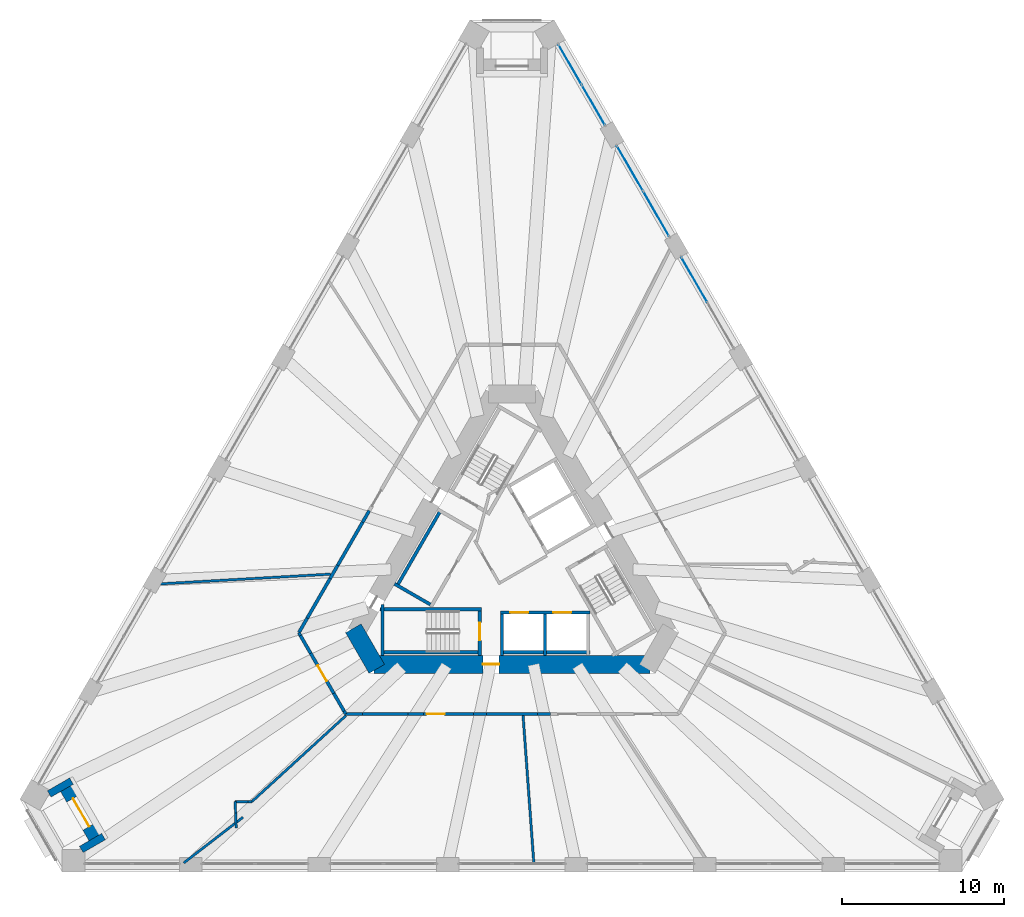
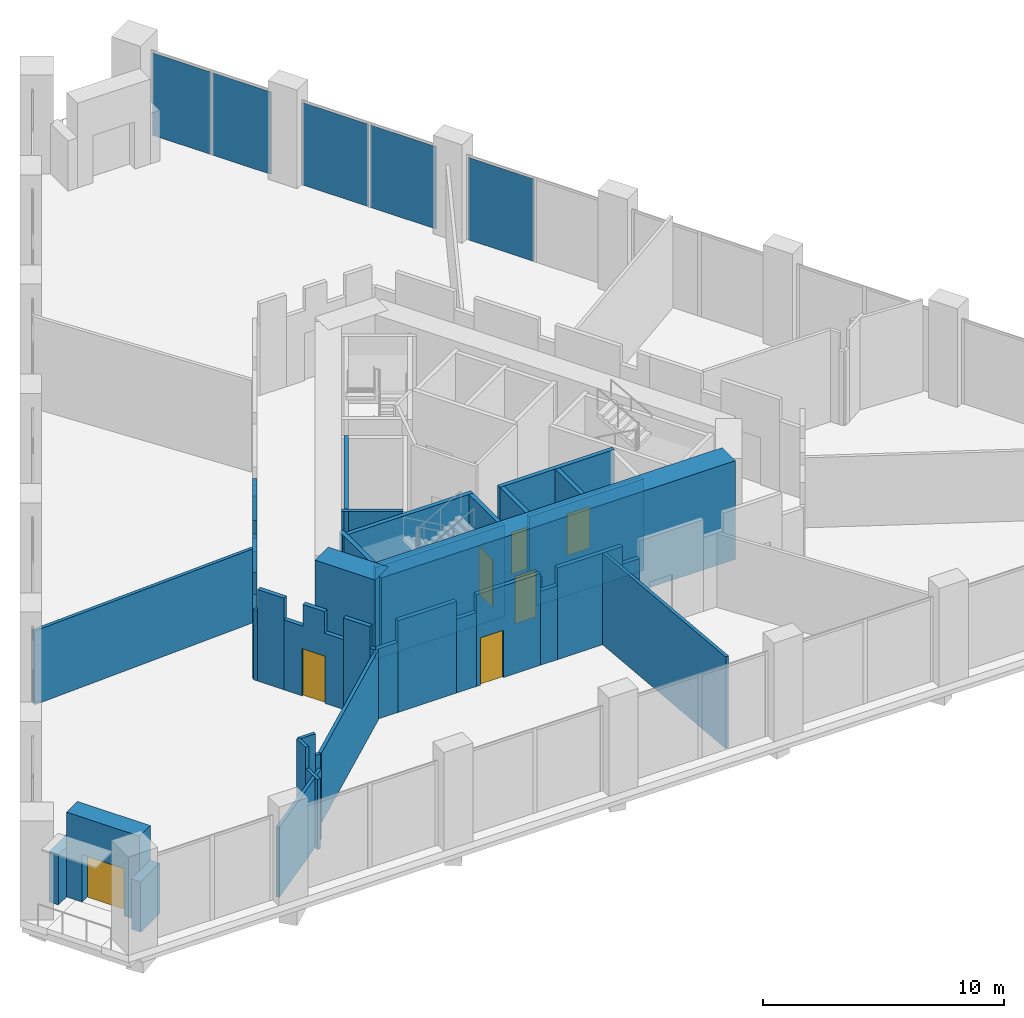
# One storey, part 13 of 20: 40 walls, 7 doors, 5 plates, 7 openings, 3 elements without a shape of their own.
"""IFC4 building model written with IfcOpenShell, lengths in metres."""

from ifc_helpers import new_model, si_unit, direction, frame, frame_2d, origin, origin_2d, place, context, subcontext, project, spatial, polyline, rectangle, outline, extrude, material, layer, layer_set, type_object, element, fill, aggregate, save


model = new_model("IFC4")

# Units and contexts
model_context = context("Model", 3, precision=1e-05, world=origin(), true_north=direction((0.0, 1.0)))
body_context = subcontext(model_context, "Body", "Model", "MODEL_VIEW")
ifc_project = project(units=[si_unit("LENGTHUNIT", "METRE"), si_unit("AREAUNIT", "SQUARE_METRE"), si_unit("VOLUMEUNIT", "CUBIC_METRE"), si_unit("PLANEANGLEUNIT", "RADIAN"), si_unit("MASSUNIT", "GRAM", prefix="KILO")], contexts=[model_context])

# Site, building, storey
site_placement = place(None, origin())
site = spatial("IfcSite", under=ifc_project, at=site_placement, CompositionType="ELEMENT")
building_placement = place(site_placement, origin())
building = spatial("IfcBuilding", under=site, at=building_placement, Name="Tramontana Tower", CompositionType="ELEMENT")
storey_placement = place(building_placement, frame((0.0, 0.0, 15.0)))
storey = spatial("IfcBuildingStorey", under=building, at=storey_placement, Name="L02", CompositionType="ELEMENT", Elevation=15.0)

# Curtain wall, plate
ifc_material_1 = material(Name="Aluminum extrusion", Category="aluminium")
ifc_layer_1 = layer(ifc_material_1, 0.14990234375)
ifc_layer_set_1 = layer_set([ifc_layer_1], Name="CW2 Podium amenity curtain wall")
curtain_wall_type = type_object("IfcCurtainWallType", Name="CW2 Podium amenity curtain wall", PredefinedType="NOTDEFINED", material=ifc_layer_set_1)
curtain_wall_1_placement = place(storey_placement, origin())
curtain_wall_1 = element("IfcCurtainWall", 1, at=curtain_wall_1_placement, inside=storey, type_object=curtain_wall_type, Name="CW2 curtain wall L02 face 2 bay 5", PredefinedType="NOTDEFINED")
ifc_material_2 = material(Name="Low-iron double glazing unit", Category="glass")
ifc_layer_2 = layer(ifc_material_2, 0.031982421875)
ifc_layer_set_2 = layer_set([ifc_layer_2], Name="CW2-P Glazing panel 32")
plate_type = type_object("IfcPlateType", Name="CW2-P Glazing panel 32", PredefinedType="CURTAIN_PANEL", material=ifc_layer_set_2)
plate_1_placement = place(storey_placement, frame((11.233642578125, 17.492919921875, 0.0), z_axis=(0.0, 0.0, 1.0), x_axis=(-0.5, 0.866025403784, 0.0)))
plate_1 = element("IfcPlate", 2, at=plate_1_placement, type_object=plate_type, Name="CW2 curtain wall L02 face 2 bay 5 panel 2.1", PredefinedType="CURTAIN_PANEL", context=body_context, shape_type="SweptSolid", body=[
    extrude(rectangle(XDim=3.1689453125, YDim=0.031982421875, at=origin_2d()), origin(), (0.0, 0.0, 1.0), 4.179931640625),
])
aggregate(curtain_wall_1, [plate_1])

# Curtain wall, plates
curtain_wall_2_placement = place(storey_placement, origin())
curtain_wall_2 = element("IfcCurtainWall", 3, at=curtain_wall_2_placement, inside=storey, type_object=curtain_wall_type, Name="CW2 curtain wall L02 face 2 bay 6", PredefinedType="NOTDEFINED")
plate_2_placement = place(storey_placement, frame((8.88916015625, 21.5537109375, 0.0), z_axis=(0.0, 0.0, 1.0), x_axis=(-0.5, 0.866025403784, 0.0)))
plate_2 = element("IfcPlate", 4, at=plate_2_placement, type_object=plate_type, Name="CW2 curtain wall L02 face 2 bay 6 panel 1.1", PredefinedType="CURTAIN_PANEL", context=body_context, shape_type="SweptSolid", body=[
    extrude(rectangle(XDim=3.1689453125, YDim=0.031982421875, at=origin_2d()), origin(), (0.0, 0.0, 1.0), 4.179931640625),
])
plate_3_placement = place(storey_placement, frame((7.274658203125, 24.349853515625, 0.0), z_axis=(0.0, 0.0, 1.0), x_axis=(-0.5, 0.866025403784, 0.0)))
plate_3 = element("IfcPlate", 5, at=plate_3_placement, type_object=plate_type, Name="CW2 curtain wall L02 face 2 bay 6 panel 2.1", PredefinedType="CURTAIN_PANEL", context=body_context, shape_type="SweptSolid", body=[
    extrude(rectangle(XDim=3.1689453125, YDim=0.031982421875, at=origin_2d()), origin(), (0.0, 0.0, 1.0), 4.179931640625),
])
aggregate(curtain_wall_2, [plate_2, plate_3])

curtain_wall_3_placement = place(storey_placement, origin())
curtain_wall_3 = element("IfcCurtainWall", 6, at=curtain_wall_3_placement, inside=storey, type_object=curtain_wall_type, Name="CW2 curtain wall L02 face 2 bay 7", PredefinedType="NOTDEFINED")
plate_4_placement = place(storey_placement, frame((5.017578125, 28.25927734375, 0.0), z_axis=(0.0, 0.0, 1.0), x_axis=(-0.5, 0.866025403784, 0.0)))
plate_4 = element("IfcPlate", 7, at=plate_4_placement, type_object=plate_type, Name="CW2 curtain wall L02 face 2 bay 7 panel 1.1", PredefinedType="CURTAIN_PANEL", context=body_context, shape_type="SweptSolid", body=[
    extrude(rectangle(XDim=2.819091796875, YDim=0.031982421875, at=origin_2d()), origin(), (0.0, 0.0, 1.0), 4.179931640625),
])
plate_5_placement = place(storey_placement, frame((3.578125, 30.75244140625, 0.0), z_axis=(0.0, 0.0, 1.0), x_axis=(-0.5, 0.866025403784, 0.0)))
plate_5 = element("IfcPlate", 8, at=plate_5_placement, type_object=plate_type, Name="CW2 curtain wall L02 face 2 bay 7 panel 2.1", PredefinedType="CURTAIN_PANEL", context=body_context, shape_type="SweptSolid", body=[
    extrude(rectangle(XDim=2.819091796875, YDim=0.031982421875, at=origin_2d()), origin(), (0.0, 0.0, 1.0), 4.179931640625),
])
aggregate(curtain_wall_3, [plate_4, plate_5])

# Wall
ifc_material_3 = material(Name="Concrete 70 MPa", Category="concrete")
ifc_layer_3 = layer(ifc_material_3, 1.10009765625)
ifc_layer_set_3 = layer_set([ifc_layer_3], Name="Core wall 1100 70 MPa")
wall_type_1 = type_object("IfcWallType", Name="Core wall 1100 70 MPa", PredefinedType="SHEAR", material=ifc_layer_set_3)
wall_1_placement = place(storey_placement, frame((-9.771728515625, -3.97509765625, 0.0), z_axis=(0.0, 0.0, 1.0), x_axis=(0.499995765644, -0.866027848477, 0.0)))
element("IfcWall", 9, at=wall_1_placement, inside=storey, type_object=wall_type_1, Name="Core wall C2 L02", PredefinedType="SHEAR", context=body_context, shape_type="SweptSolid", body=[
    extrude(rectangle(XDim=2.88671875, YDim=1.10009765625, at=frame_2d((1.443359375, 0.0))), origin(), (0.0, 0.0, 1.0), 5.0),
])

# Wall, opening, door
wall_2_placement = place(storey_placement, frame((-8.487060546875, -6.199951171875, 0.0), z_axis=(0.0, 0.0, 1.0), x_axis=(1.0, 0.0, 0.0)))
wall_2 = element("IfcWall", 10, at=wall_2_placement, inside=storey, type_object=wall_type_1, Name="Core wall C3 L02", PredefinedType="SHEAR", context=body_context, shape_type="SweptSolid", body=[
    extrude(rectangle(XDim=16.97412109375, YDim=1.10009765625, at=frame_2d((8.487060546875, 0.0))), origin(), (0.0, 0.0, 1.0), 5.0),
])
opening_1_placement = place(wall_2_placement, frame((6.69189453125, 0.0, 0.0)))
opening_1 = element("IfcOpeningElement", 11, at=opening_1_placement, cuts=wall_2, Name="Opening RG2", PredefinedType="OPENING", context=body_context, shape_type="SweptSolid", body=[
    extrude(rectangle(XDim=1.0, YDim=2.39990234375, at=frame_2d((0.5, 1.199951171875))), frame((0.0, 0.56005859375, 0.0), z_axis=(0.0, -1.0, 0.0), x_axis=(1.0, 0.0, 0.0)), (0.0, 0.0, 1.0), 1.1201171875),
])
ifc_material_4 = material(Name="Painted steel", Category="steel")
door_type_1 = type_object("IfcDoorType", Name="RING DOOR 1000", OperationType="SINGLE_SWING_LEFT", PredefinedType="DOOR", material=ifc_material_4)
door_1_placement = place(opening_1_placement, origin())
door_1 = element("IfcDoor", 12, at=door_1_placement, inside=storey, type_object=door_type_1, Name="Door RG2", OperationType="SINGLE_SWING_RIGHT", OverallHeight=2.39990234375, OverallWidth=1.0, PredefinedType="DOOR", context=body_context, shape_type="SweptSolid", body=[
    extrude(rectangle(XDim=1.0, YDim=2.39990234375, at=frame_2d((0.5, 1.199951171875))), frame((0.0, 0.02490234375, 0.0), z_axis=(0.0, -1.0, 0.0), x_axis=(1.0, 0.0, 0.0)), (0.0, 0.0, 1.0), 0.050048828125),
])
fill(opening_1, door_1)

# Walls
ifc_material_5 = material(Name="Blockwork", Category="masonry")
ifc_layer_4 = layer(ifc_material_5, 0.199951171875)
ifc_layer_set_4 = layer_set([ifc_layer_4], Name="ENTRY WALL 200")
wall_type_2 = type_object("IfcWallType", Name="ENTRY WALL 200", PredefinedType="SOLIDWALL", material=ifc_layer_set_4)
wall_3_placement = place(storey_placement, frame((2.383056640625, -9.25, 0.0), z_axis=(0.0, 0.0, 1.0), x_axis=(-1.0, 0.0, 0.0)))
element("IfcWall", 13, at=wall_3_placement, inside=storey, type_object=wall_type_2, Name="Wall ew2-4", PredefinedType="SOLIDWALL", context=body_context, shape_type="SweptSolid", body=[
    extrude(rectangle(XDim=0.81787109375, YDim=0.199951171875, at=frame_2d((0.408935546875, 0.0))), origin(), (0.0, 0.0, 1.0), 3.75),
])
wall_4_placement = place(storey_placement, frame((1.565185546875, -9.25, 0.0), z_axis=(0.0, 0.0, 1.0), x_axis=(-1.0, 0.0, 0.0)))
element("IfcWall", 14, at=wall_4_placement, inside=storey, type_object=wall_type_2, Name="Wall ew2-5", PredefinedType="SOLIDWALL", context=body_context, shape_type="SweptSolid", body=[
    extrude(rectangle(XDim=3.13037109375, YDim=0.199951171875, at=frame_2d((1.565185546875, 0.0))), origin(), (0.0, 0.0, 1.0), 4.64990234375),
])
wall_5_placement = place(storey_placement, frame((-1.565185546875, -9.25, 0.0), z_axis=(0.0, 0.0, 1.0), x_axis=(-1.0, 0.0, 0.0)))
element("IfcWall", 15, at=wall_5_placement, inside=storey, type_object=wall_type_2, Name="Wall ew2-6", PredefinedType="SOLIDWALL", context=body_context, shape_type="SweptSolid", body=[
    extrude(rectangle(XDim=0.81787109375, YDim=0.199951171875, at=frame_2d((0.408935546875, 0.0))), origin(), (0.0, 0.0, 1.0), 3.75),
])

# Wall, opening, door
wall_6_placement = place(storey_placement, frame((-2.383056640625, -9.25, 0.0), z_axis=(0.0, 0.0, 1.0), x_axis=(-1.0, 0.0, 0.0)))
wall_6 = element("IfcWall", 16, at=wall_6_placement, inside=storey, type_object=wall_type_2, Name="Wall ew2-7", PredefinedType="SOLIDWALL", context=body_context, shape_type="SweptSolid", body=[
    extrude(rectangle(XDim=3.064453125, YDim=0.199951171875, at=frame_2d((1.5322265625, 0.0))), origin(), (0.0, 0.0, 1.0), 4.64990234375),
])
opening_2_placement = place(wall_6_placement, frame((1.769287109375, 0.0, 0.0)))
opening_2 = element("IfcOpeningElement", 17, at=opening_2_placement, cuts=wall_6, Name="Opening L02-04", PredefinedType="OPENING", context=body_context, shape_type="SweptSolid", body=[
    extrude(rectangle(XDim=1.10009765625, YDim=2.39990234375, at=frame_2d((0.550048828125, 1.199951171875))), frame((0.0, 0.10986328125, 0.0), z_axis=(0.0, -1.0, 0.0), x_axis=(1.0, 0.0, 0.0)), (0.0, 0.0, 1.0), 0.219970703125),
])
ifc_material_6 = material(Name="Painted timber", Category="wood")
door_type_2 = type_object("IfcDoorType", Name="DOOR ENTRY 1100", OperationType="SINGLE_SWING_LEFT", PredefinedType="DOOR", material=ifc_material_6)
door_2_placement = place(opening_2_placement, origin())
door_2 = element("IfcDoor", 18, at=door_2_placement, inside=storey, type_object=door_type_2, Name="Door L02-04", OperationType="SINGLE_SWING_RIGHT", OverallHeight=2.39990234375, OverallWidth=1.10009765625, PredefinedType="DOOR", context=body_context, shape_type="SweptSolid", body=[
    extrude(rectangle(XDim=1.10009765625, YDim=2.39990234375, at=frame_2d((0.550048828125, 1.199951171875))), frame((0.0, 0.02490234375, 0.0), z_axis=(0.0, -1.0, 0.0), x_axis=(1.0, 0.0, 0.0)), (0.0, 0.0, 1.0), 0.050048828125),
])
fill(opening_2, door_2)

# Walls
wall_7_placement = place(storey_placement, frame((-5.447509765625, -9.25, 0.0), z_axis=(0.0, 0.0, 1.0), x_axis=(-1.0, 0.0, 0.0)))
element("IfcWall", 19, at=wall_7_placement, inside=storey, type_object=wall_type_2, Name="Wall ew2-8", PredefinedType="SOLIDWALL", context=body_context, shape_type="SweptSolid", body=[
    extrude(rectangle(XDim=0.949951171875, YDim=0.199951171875, at=frame_2d((0.47509765625, 0.0))), origin(), (0.0, 0.0, 1.0), 3.75),
])
wall_8_placement = place(storey_placement, frame((-6.3974609375, -9.25, 0.0), z_axis=(0.0, 0.0, 1.0), x_axis=(-1.0, 0.0, 0.0)))
element("IfcWall", 20, at=wall_8_placement, inside=storey, type_object=wall_type_2, Name="Wall ew2-9", PredefinedType="SOLIDWALL", context=body_context, shape_type="SweptSolid", body=[
    extrude(rectangle(XDim=2.815185546875, YDim=0.199951171875, at=frame_2d((1.40771484375, 0.0))), origin(), (0.0, 0.0, 1.0), 4.64990234375),
])
wall_9_placement = place(storey_placement, frame((-9.212646484375, -9.25, 0.0), z_axis=(0.0, 0.0, 1.0), x_axis=(-1.0, 0.0, 0.0)))
element("IfcWall", 21, at=wall_9_placement, inside=storey, type_object=wall_type_2, Name="Wall ew2-10", PredefinedType="SOLIDWALL", context=body_context, shape_type="SweptSolid", body=[
    extrude(rectangle(XDim=1.035400390625, YDim=0.199951171875, at=frame_2d((0.517578125, 0.0))), origin(), (0.0, 0.0, 1.0), 3.550048828125),
])
wall_10_placement = place(storey_placement, frame((-10.248046875, -9.25, 0.0), z_axis=(0.0, 0.0, 1.0), x_axis=(-0.499865263774, 0.866103179807, 0.0)))
element("IfcWall", 22, at=wall_10_placement, inside=storey, type_object=wall_type_2, Name="Wall ew3-0", PredefinedType="SOLIDWALL", context=body_context, shape_type="SweptSolid", body=[
    extrude(rectangle(XDim=0.197265625, YDim=0.199951171875, at=frame_2d((0.0986328125, 0.0))), origin(), (0.0, 0.0, 1.0), 3.550048828125),
])
wall_11_placement = place(storey_placement, frame((-10.3466796875, -9.0791015625, 0.0), z_axis=(0.0, 0.0, 1.0), x_axis=(-0.499911523785, 0.866076479525, 0.0)))
element("IfcWall", 23, at=wall_11_placement, inside=storey, type_object=wall_type_2, Name="Wall ew3-1", PredefinedType="SOLIDWALL", context=body_context, shape_type="SweptSolid", body=[
    extrude(rectangle(XDim=1.266845703125, YDim=0.199951171875, at=frame_2d((0.63330078125, 0.0))), origin(), (0.0, 0.0, 1.0), 4.64990234375),
])

# Wall, opening, door
wall_12_placement = place(storey_placement, frame((-10.97998046875, -7.98193359375, 0.0), z_axis=(0.0, 0.0, 1.0), x_axis=(-0.500024525844, 0.866011243319, 0.0)))
wall_12 = element("IfcWall", 24, at=wall_12_placement, inside=storey, type_object=wall_type_2, Name="Wall ew3-2", PredefinedType="SOLIDWALL", context=body_context, shape_type="SweptSolid", body=[
    extrude(outline(polyline([(0.0, 0.0), (2.844970703125, 0.0), (2.84521484375, 3.550048828125), (1.94287109375, 3.550048828125), (1.94287109375, 4.64990234375), (0.90234375, 4.64990234375), (0.90234375, 3.550048828125), (0.0, 3.550048828125), (0.0, 0.0)])), frame((0.0, 0.10009765625, 0.0), z_axis=(0.0, -1.0, 0.0), x_axis=(1.0, 0.0, 0.0)), (0.0, 0.0, 1.0), 0.199951171875),
])
opening_3_placement = place(wall_12_placement, frame((0.87255859375, 0.0, 0.0)))
opening_3 = element("IfcOpeningElement", 25, at=opening_3_placement, cuts=wall_12, Name="Opening L02-03", PredefinedType="OPENING", context=body_context, shape_type="SweptSolid", body=[
    extrude(rectangle(XDim=1.10009765625, YDim=2.39990234375, at=frame_2d((0.550048828125, 1.199951171875))), frame((0.0, 0.10986328125, 0.0), z_axis=(0.0, -1.0, 0.0), x_axis=(1.0, 0.0, 0.0)), (0.0, 0.0, 1.0), 0.219970703125),
])
door_3_placement = place(opening_3_placement, origin())
door_3 = element("IfcDoor", 26, at=door_3_placement, inside=storey, type_object=door_type_2, Name="Door L02-03", OperationType="SINGLE_SWING_LEFT", OverallHeight=2.39990234375, OverallWidth=1.10009765625, PredefinedType="DOOR", context=body_context, shape_type="SweptSolid", body=[
    extrude(rectangle(XDim=1.10009765625, YDim=2.39990234375, at=frame_2d((0.550048828125, 1.199951171875))), frame((0.0, 0.02490234375, 0.0), z_axis=(0.0, -1.0, 0.0), x_axis=(1.0, 0.0, 0.0)), (0.0, 0.0, 1.0), 0.050048828125),
])
fill(opening_3, door_3)

# Walls
wall_13_placement = place(storey_placement, frame((-12.402587890625, -5.51806640625, 0.0), z_axis=(0.0, 0.0, 1.0), x_axis=(-0.500056058743, 0.865993035835, 0.0)))
element("IfcWall", 27, at=wall_13_placement, inside=storey, type_object=wall_type_2, Name="Wall ew3-3", PredefinedType="SOLIDWALL", context=body_context, shape_type="SweptSolid", body=[
    extrude(rectangle(XDim=1.266845703125, YDim=0.199951171875, at=frame_2d((0.63330078125, 0.0))), origin(), (0.0, 0.0, 1.0), 4.64990234375),
])
wall_14_placement = place(storey_placement, frame((-13.0361328125, -4.4208984375, 0.0), z_axis=(0.0, 0.0, 1.0), x_axis=(-0.499865263774, 0.866103179807, 0.0)))
element("IfcWall", 28, at=wall_14_placement, inside=storey, type_object=wall_type_2, Name="Wall ew3-4", PredefinedType="SOLIDWALL", context=body_context, shape_type="SweptSolid", body=[
    extrude(rectangle(XDim=0.197265625, YDim=0.199951171875, at=frame_2d((0.0986328125, 0.0))), origin(), (0.0, 0.0, 1.0), 3.550048828125),
])
wall_15_placement = place(storey_placement, frame((-13.134765625, -4.25, 0.0), z_axis=(0.0, 0.0, 1.0), x_axis=(0.500171514983, 0.865926356915, 0.0)))
element("IfcWall", 29, at=wall_15_placement, inside=storey, type_object=wall_type_2, Name="Wall ew4-0", PredefinedType="SOLIDWALL", context=body_context, shape_type="SweptSolid", body=[
    extrude(rectangle(XDim=1.035400390625, YDim=0.199951171875, at=frame_2d((0.517578125, 0.0))), origin(), (0.0, 0.0, 1.0), 3.550048828125),
])
wall_16_placement = place(storey_placement, frame((-12.616943359375, -3.353515625, 0.0), z_axis=(0.0, 0.0, 1.0), x_axis=(0.49993514545, 0.866062844338, 0.0)))
element("IfcWall", 30, at=wall_16_placement, inside=storey, type_object=wall_type_2, Name="Wall ew4-1", PredefinedType="SOLIDWALL", context=body_context, shape_type="SweptSolid", body=[
    extrude(rectangle(XDim=2.815185546875, YDim=0.199951171875, at=frame_2d((1.40771484375, 0.0))), origin(), (0.0, 0.0, 1.0), 4.64990234375),
])
wall_17_placement = place(storey_placement, frame((-11.20947265625, -0.915283203125, 0.0), z_axis=(0.0, 0.0, 1.0), x_axis=(0.500174821557, 0.865924446982, 0.0)))
element("IfcWall", 31, at=wall_17_placement, inside=storey, type_object=wall_type_2, Name="Wall ew4-2", PredefinedType="SOLIDWALL", context=body_context, shape_type="SweptSolid", body=[
    extrude(rectangle(XDim=0.949951171875, YDim=0.199951171875, at=frame_2d((0.47509765625, 0.0))), origin(), (0.0, 0.0, 1.0), 3.75),
])
wall_18_placement = place(storey_placement, frame((-10.734375, -0.0927734375, 0.0), z_axis=(0.0, 0.0, 1.0), x_axis=(0.499952348839, 0.866052913447, 0.0)))
element("IfcWall", 32, at=wall_18_placement, inside=storey, type_object=wall_type_2, Name="Wall ew4-3", PredefinedType="SOLIDWALL", context=body_context, shape_type="SweptSolid", body=[
    extrude(rectangle(XDim=3.064208984375, YDim=0.199951171875, at=frame_2d((1.5322265625, 0.0))), origin(), (0.0, 0.0, 1.0), 4.64990234375),
])
wall_19_placement = place(storey_placement, frame((-9.202392578125, 2.56103515625, 0.0), z_axis=(0.0, 0.0, 1.0), x_axis=(0.500118501653, 0.865956976012, 0.0)))
element("IfcWall", 33, at=wall_19_placement, inside=storey, type_object=wall_type_2, Name="Wall ew4-4", PredefinedType="SOLIDWALL", context=body_context, shape_type="SweptSolid", body=[
    extrude(rectangle(XDim=0.818115234375, YDim=0.199951171875, at=frame_2d((0.4091796875, 0.0))), origin(), (0.0, 0.0, 1.0), 3.75),
])
ifc_material_7 = material(Name="Precast concrete 60 MPa", Category="concrete")
ifc_layer_5 = layer(ifc_material_7, 0.449951171875)
ifc_layer_set_5 = layer_set([ifc_layer_5], Name="Precast concrete 60 MPa, 450 mm")
wall_type_3 = type_object("IfcWallType", Name="EW1 Stone-faced precast wall 450", PredefinedType="SOLIDWALL", material=ifc_layer_set_5)
wall_20_placement = place(storey_placement, frame((-26.5341796875, -17.60009765625, 0.0), z_axis=(0.0, 0.0, 1.0), x_axis=(0.86597962928, 0.500079275387, 0.0)))
element("IfcWall", 34, at=wall_20_placement, inside=storey, type_object=wall_type_3, Name="Corner loggia side wall L02 K01l", PredefinedType="SOLIDWALL", context=body_context, shape_type="SweptSolid", body=[
    extrude(rectangle(XDim=1.579345703125, YDim=0.449951171875, at=frame_2d((0.78955078125, 0.0))), origin(), (0.0, 0.0, 1.0), 2.550048828125),
])
wall_21_placement = place(storey_placement, frame((-28.509033203125, -14.17919921875, 0.0), z_axis=(0.0, 0.0, 1.0), x_axis=(0.866046570609, 0.499963336192, 0.0)))
element("IfcWall", 35, at=wall_21_placement, inside=storey, type_object=wall_type_3, Name="Corner loggia side wall L02 K01r", PredefinedType="SOLIDWALL", context=body_context, shape_type="SweptSolid", body=[
    extrude(rectangle(XDim=1.5791015625, YDim=0.449951171875, at=frame_2d((0.78955078125, 0.0))), origin(), (0.0, 0.0, 1.0), 2.550048828125),
])

# Wall, opening, door
ifc_material_8 = material(Name="Precast concrete 60 MPa", Category="concrete")
ifc_layer_6 = layer(ifc_material_8, 0.89990234375)
ifc_layer_set_6 = layer_set([ifc_layer_6], Name="EW2 Stone-faced corner loggia wall 900")
wall_type_4 = type_object("IfcWallType", Name="EW2 Stone-faced corner loggia wall 900", PredefinedType="SOLIDWALL", material=ifc_layer_set_6)
wall_22_placement = place(storey_placement, frame((-25.668701171875, -16.840576171875, 0.0), z_axis=(0.0, 0.0, 1.0), x_axis=(-0.500010275428, 0.866019471182, 0.0)))
wall_22 = element("IfcWall", 36, at=wall_22_placement, inside=storey, type_object=wall_type_4, Name="Corner loggia wall L02 K01", PredefinedType="SOLIDWALL", context=body_context, shape_type="SweptSolid", body=[
    extrude(rectangle(XDim=3.5, YDim=0.89990234375, at=frame_2d((1.75, 0.0))), origin(), (0.0, 0.0, 1.0), 4.300048828125),
])
opening_4_placement = place(wall_22_placement, frame((0.75, 0.0, 0.0)))
opening_4 = element("IfcOpeningElement", 37, at=opening_4_placement, cuts=wall_22, Name="Opening BD-01C", PredefinedType="OPENING", context=body_context, shape_type="SweptSolid", body=[
    extrude(rectangle(XDim=2.0, YDim=2.39990234375, at=frame_2d((1.0, 1.199951171875))), frame((0.0, 0.4599609375, 0.0), z_axis=(0.0, -1.0, 0.0), x_axis=(1.0, 0.0, 0.0)), (0.0, 0.0, 1.0), 0.919921875),
])
ifc_material_9 = material(Name="Aluminum frame, double glazing unit", Category="aluminium")
door_type_3 = type_object("IfcDoorType", Name="BC1 Sliding door 2 x 2.4", OperationType="SLIDING_TO_LEFT", PredefinedType="DOOR", material=ifc_material_9)
door_4_placement = place(opening_4_placement, origin())
door_4 = element("IfcDoor", 38, at=door_4_placement, inside=storey, type_object=door_type_3, Name="Corner loggia door L02 K01", OperationType="SLIDING_TO_LEFT", OverallHeight=2.39990234375, OverallWidth=2.0, PredefinedType="DOOR", context=body_context, shape_type="SweptSolid", body=[
    extrude(rectangle(XDim=2.0, YDim=2.39990234375, at=frame_2d((1.0, 1.199951171875))), frame((0.0, 0.02490234375, 0.0), z_axis=(0.0, -1.0, 0.0), x_axis=(1.0, 0.0, 0.0)), (0.0, 0.0, 1.0), 0.050048828125),
])
fill(opening_4, door_4)

# Walls
ifc_material_10 = material(Name="Gypsum board partition")
ifc_layer_7 = layer(ifc_material_10, 0.14990234375)
ifc_layer_set_7 = layer_set([ifc_layer_7], Name="PARTITION 150")
wall_type_5 = type_object("IfcWallType", Name="PARTITION 150", PredefinedType="PARTITIONING", material=ifc_layer_set_7)
wall_23_placement = place(storey_placement, frame((-17.0556640625, -14.65185546875, 0.0), z_axis=(0.0, 0.0, 1.0), x_axis=(0.038353502747, -0.999264233738, 0.0)))
element("IfcWall", 39, at=wall_23_placement, inside=storey, type_object=wall_type_5, Name="Wall fw-pw00-0", PredefinedType="PARTITIONING", context=body_context, shape_type="SweptSolid", body=[
    extrude(rectangle(XDim=0.70654296875, YDim=0.14990234375, at=frame_2d((0.353271484375, 0.0))), origin(), (0.0, 0.0, 1.0), 4.64990234375),
])
wall_24_placement = place(storey_placement, frame((-17.028564453125, -15.35791015625, 0.0), z_axis=(0.0, 0.0, 1.0), x_axis=(0.038890334198, -0.999243484795, 0.0)))
element("IfcWall", 40, at=wall_24_placement, inside=storey, type_object=wall_type_5, Name="Wall fw-pw00-1", PredefinedType="PARTITIONING", context=body_context, shape_type="SweptSolid", body=[
    extrude(rectangle(XDim=0.9228515625, YDim=0.14990234375, at=frame_2d((0.46142578125, 0.0))), origin(), (0.0, 0.0, 1.0), 3.550048828125),
])
wall_25_placement = place(storey_placement, frame((-16.577392578125, -15.6201171875, 0.0), z_axis=(0.0, 0.0, 1.0), x_axis=(-0.79203798149, -0.610471814155, 0.0)))
element("IfcWall", 41, at=wall_25_placement, inside=storey, type_object=wall_type_5, Name="Wall fw-pw01-0", PredefinedType="PARTITIONING", context=body_context, shape_type="SweptSolid", body=[
    extrude(rectangle(XDim=4.602783203125, YDim=0.14990234375, at=frame_2d((2.30126953125, 0.0))), origin(), (0.0, 0.0, 1.0), 3.550048828125),
])
wall_26_placement = place(storey_placement, frame((-16.021728515625, -14.64990234375, 0.0), z_axis=(0.0, 0.0, 1.0), x_axis=(-1.0, 0.0, 0.0)))
element("IfcWall", 42, at=wall_26_placement, inside=storey, type_object=wall_type_5, Name="Wall fw-pw02-0", PredefinedType="PARTITIONING", context=body_context, shape_type="SweptSolid", body=[
    extrude(rectangle(XDim=0.2509765625, YDim=0.14990234375, at=frame_2d((0.12548828125, 0.0))), origin(), (0.0, 0.0, 1.0), 3.550048828125),
])
wall_27_placement = place(storey_placement, frame((-16.272705078125, -14.64990234375, 0.0), z_axis=(0.0, 0.0, 1.0), x_axis=(-1.0, 0.0, 0.0)))
element("IfcWall", 43, at=wall_27_placement, inside=storey, type_object=wall_type_5, Name="Wall fw-pw02-1", PredefinedType="PARTITIONING", context=body_context, shape_type="SweptSolid", body=[
    extrude(rectangle(XDim=0.781005859375, YDim=0.14990234375, at=frame_2d((0.390625, 0.0))), origin(), (0.0, 0.0, 1.0), 4.64990234375),
])
wall_28_placement = place(storey_placement, frame((-11.1650390625, -0.638427734375, 0.0), z_axis=(0.0, 0.0, 1.0), x_axis=(-0.998369760977, -0.057077319203, 0.0)))
element("IfcWall", 44, at=wall_28_placement, inside=storey, type_object=wall_type_5, Name="Wall fw-pw03-0", PredefinedType="PARTITIONING", context=body_context, shape_type="SweptSolid", body=[
    extrude(rectangle(XDim=10.8603515625, YDim=0.14990234375, at=frame_2d((5.43017578125, 0.0))), origin(), (0.0, 0.0, 1.0), 3.75),
])
wall_29_placement = place(storey_placement, frame((-10.2255859375, -9.35009765625, 0.0), z_axis=(0.0, 0.0, 1.0), x_axis=(-0.738000060557, -0.674800645093, 0.0)))
element("IfcWall", 45, at=wall_29_placement, inside=storey, type_object=wall_type_5, Name="Wall fw-pw04-0", PredefinedType="PARTITIONING", context=body_context, shape_type="SweptSolid", body=[
    extrude(rectangle(XDim=7.853515625, YDim=0.14990234375, at=frame_2d((3.9267578125, 0.0))), origin(), (0.0, 0.0, 1.0), 3.550048828125),
])
wall_30_placement = place(storey_placement, frame((0.681640625, -9.35009765625, 0.0), z_axis=(0.0, 0.0, 1.0), x_axis=(0.072727761096, -0.997351829981, 0.0)))
element("IfcWall", 46, at=wall_30_placement, inside=storey, type_object=wall_type_5, Name="Wall fw-pw06", PredefinedType="PARTITIONING", context=body_context, shape_type="SweptSolid", body=[
    extrude(rectangle(XDim=9.10400390625, YDim=0.14990234375, at=frame_2d((4.552001953125, 0.0))), origin(), (0.0, 0.0, 1.0), 4.64990234375),
])
ifc_material_11 = material(Name="Concrete 70 MPa", Category="concrete")
ifc_layer_8 = layer(ifc_material_11, 0.199951171875)
ifc_layer_set_8 = layer_set([ifc_layer_8], Name="Concrete 70 MPa, 200 mm")
wall_type_6 = type_object("IfcWallType", Name="RC SHAFT BACK WALL 200", PredefinedType="SOLIDWALL", material=ifc_layer_set_8)
wall_31_placement = place(storey_placement, frame((-8.080078125, -5.449951171875, 0.0), z_axis=(0.0, 0.0, 1.0), x_axis=(1.0, 0.0, 0.0)))
element("IfcWall", 47, at=wall_31_placement, inside=storey, type_object=wall_type_6, Name="Wall st2-back", PredefinedType="SOLIDWALL", context=body_context, shape_type="SweptSolid", body=[
    extrude(rectangle(XDim=6.2001953125, YDim=0.199951171875, at=frame_2d((3.10009765625, 0.0))), origin(), (0.0, 0.0, 1.0), 4.64990234375),
])
for number, where, z_axis, x_axis, name in (
    (48, (-4.36474609375, 3.33984375, 0.0), (0.0, 0.0, 1.0), (-0.499996545922, -0.866027397988, 0.0), "Wall row0-back"),
    (49, (-0.7099609375, -5.449951171875, 0.0), (0.0, 0.0, 1.0), (1.0, 0.0, 0.0), "Wall row1-back"),
):
    element("IfcWall", number, at=place(storey_placement, frame(where, z_axis=z_axis, x_axis=x_axis)), inside=storey, type_object=wall_type_6, Name=name, PredefinedType="SOLIDWALL", context=body_context, shape_type="SweptSolid", body=[
        extrude(rectangle(XDim=5.5, YDim=0.199951171875, at=frame_2d((2.75, 0.0))), origin(), (0.0, 0.0, 1.0), 4.64990234375),
    ])
ifc_material_12 = material(Name="Concrete 70 MPa", Category="concrete")
ifc_layer_9 = layer(ifc_material_12, 0.199951171875)
ifc_layer_set_9 = layer_set([ifc_layer_9], Name="Concrete 70 MPa, 200 mm")
wall_type_7 = type_object("IfcWallType", Name="RC STAIR AND SHAFT WALL 200", PredefinedType="SOLIDWALL", material=ifc_layer_set_9)
wall_32_placement = place(storey_placement, frame((-8.140625, -2.800048828125, 0.0), z_axis=(0.0, 0.0, 1.0), x_axis=(1.0, 0.0, 0.0)))
element("IfcWall", 50, at=wall_32_placement, inside=storey, type_object=wall_type_7, Name="Wall st2-front", PredefinedType="SOLIDWALL", context=body_context, shape_type="SweptSolid", body=[
    extrude(rectangle(XDim=6.2607421875, YDim=0.199951171875, at=frame_2d((3.13037109375, 0.0))), origin(), (0.0, 0.0, 1.0), 4.64990234375),
])
wall_33_placement = place(storey_placement, frame((-7.97998046875, -2.521728515625, 0.0), z_axis=(0.0, 0.0, 1.0), x_axis=(0.0, -1.0, 0.0)))
element("IfcWall", 51, at=wall_33_placement, inside=storey, type_object=wall_type_7, Name="Wall st2-far", PredefinedType="SOLIDWALL", context=body_context, shape_type="SweptSolid", body=[
    extrude(rectangle(XDim=3.128173828125, YDim=0.199951171875, at=frame_2d((1.56396484375, 0.0))), origin(), (0.0, 0.0, 1.0), 4.64990234375),
])

# Wall, opening, door
wall_34_placement = place(storey_placement, frame((-1.97998046875, -2.89990234375, 0.0), z_axis=(0.0, 0.0, 1.0), x_axis=(0.0, -1.0, 0.0)))
wall_34 = element("IfcWall", 52, at=wall_34_placement, inside=storey, type_object=wall_type_7, Name="Wall st2-near", PredefinedType="SOLIDWALL", context=body_context, shape_type="SweptSolid", body=[
    extrude(rectangle(XDim=2.75, YDim=0.199951171875, at=frame_2d((1.375, 0.0))), origin(), (0.0, 0.0, 1.0), 4.64990234375),
])
opening_5_placement = place(wall_34_placement, frame((0.72509765625, 0.0, 0.0)))
opening_5 = element("IfcOpeningElement", 53, at=opening_5_placement, cuts=wall_34, Name="Opening SD2", PredefinedType="OPENING", context=body_context, shape_type="SweptSolid", body=[
    extrude(rectangle(XDim=1.10009765625, YDim=2.39990234375, at=frame_2d((0.550048828125, 1.199951171875))), frame((0.0, 0.10986328125, 0.0), z_axis=(0.0, -1.0, 0.0), x_axis=(1.0, 0.0, 0.0)), (0.0, 0.0, 1.0), 0.219970703125),
])
ifc_material_13 = material(Name="Painted steel", Category="steel")
door_type_4 = type_object("IfcDoorType", Name="STAIR DOOR 1100", OperationType="SINGLE_SWING_LEFT", PredefinedType="DOOR", material=ifc_material_13)
door_5_placement = place(opening_5_placement, origin())
door_5 = element("IfcDoor", 54, at=door_5_placement, inside=storey, type_object=door_type_4, Name="Door SD2", OperationType="SINGLE_SWING_LEFT", OverallHeight=2.39990234375, OverallWidth=1.10009765625, PredefinedType="DOOR", context=body_context, shape_type="SweptSolid", body=[
    extrude(rectangle(XDim=1.10009765625, YDim=2.39990234375, at=frame_2d((0.550048828125, 1.199951171875))), frame((0.0, 0.02490234375, 0.0), z_axis=(0.0, -1.0, 0.0), x_axis=(1.0, 0.0, 0.0)), (0.0, 0.0, 1.0), 0.050048828125),
])
fill(opening_5, door_5)

# Wall
wall_35_placement = place(storey_placement, frame((-5.02978515625, -2.51171875, 0.0), z_axis=(0.0, 0.0, 1.0), x_axis=(-0.865989465428, 0.500062241894, 0.0)))
element("IfcWall", 55, at=wall_35_placement, inside=storey, type_object=wall_type_7, Name="Wall row0-side2", PredefinedType="SOLIDWALL", context=body_context, shape_type="SweptSolid", body=[
    extrude(rectangle(XDim=2.550048828125, YDim=0.199951171875, at=frame_2d((1.27490234375, 0.0))), origin(), (0.0, 0.0, 1.0), 4.64990234375),
])

# Wall, openings, doors
wall_36_placement = place(storey_placement, frame((-0.7099609375, -3.0, 0.0), z_axis=(0.0, 0.0, 1.0), x_axis=(1.0, 0.0, 0.0)))
wall_36 = element("IfcWall", 56, at=wall_36_placement, inside=storey, type_object=wall_type_7, Name="Wall row1-front", PredefinedType="SOLIDWALL", context=body_context, shape_type="SweptSolid", body=[
    extrude(rectangle(XDim=5.5, YDim=0.199951171875, at=frame_2d((2.75, 0.0))), origin(), (0.0, 0.0, 1.0), 4.64990234375),
])
opening_6_placement = place(wall_36_placement, frame((0.610107421875, 0.0, 0.0)))
opening_6 = element("IfcOpeningElement", 57, at=opening_6_placement, cuts=wall_36, Name="Opening LD-S1", PredefinedType="OPENING", context=body_context, shape_type="SweptSolid", body=[
    extrude(rectangle(XDim=1.10009765625, YDim=2.10009765625, at=frame_2d((0.550048828125, 1.050048828125))), frame((0.0, 0.10986328125, 0.0), z_axis=(0.0, -1.0, 0.0), x_axis=(1.0, 0.0, 0.0)), (0.0, 0.0, 1.0), 0.219970703125),
])
opening_7_placement = place(wall_36_placement, frame((3.260009765625, 0.0, 0.0)))
opening_7 = element("IfcOpeningElement", 58, at=opening_7_placement, cuts=wall_36, Name="Opening LD-S2", PredefinedType="OPENING", context=body_context, shape_type="SweptSolid", body=[
    extrude(rectangle(XDim=1.10009765625, YDim=2.10009765625, at=frame_2d((0.550048828125, 1.050048828125))), frame((0.0, 0.10986328125, 0.0), z_axis=(0.0, -1.0, 0.0), x_axis=(1.0, 0.0, 0.0)), (0.0, 0.0, 1.0), 0.219970703125),
])
ifc_material_14 = material(Name="Brushed steel", Category="steel")
door_type_5 = type_object("IfcDoorType", Name="LANDING DOOR 1100", OperationType="SINGLE_SWING_LEFT", PredefinedType="DOOR", material=ifc_material_14)
door_6_placement = place(opening_6_placement, origin())
door_6 = element("IfcDoor", 59, at=door_6_placement, inside=storey, type_object=door_type_5, Name="Door LD-S1", OperationType="SLIDING_TO_RIGHT", OverallHeight=2.10009765625, OverallWidth=1.10009765625, PredefinedType="DOOR", context=body_context, shape_type="SweptSolid", body=[
    extrude(rectangle(XDim=1.10009765625, YDim=2.10009765625, at=frame_2d((0.550048828125, 1.050048828125))), frame((0.0, 0.02490234375, 0.0), z_axis=(0.0, -1.0, 0.0), x_axis=(1.0, 0.0, 0.0)), (0.0, 0.0, 1.0), 0.050048828125),
])
fill(opening_6, door_6)
door_7_placement = place(opening_7_placement, origin())
door_7 = element("IfcDoor", 60, at=door_7_placement, inside=storey, type_object=door_type_5, Name="Door LD-S2", OperationType="SLIDING_TO_LEFT", OverallHeight=2.10009765625, OverallWidth=1.10009765625, PredefinedType="DOOR", context=body_context, shape_type="SweptSolid", body=[
    extrude(rectangle(XDim=1.10009765625, YDim=2.10009765625, at=frame_2d((0.550048828125, 1.050048828125))), frame((0.0, 0.02490234375, 0.0), z_axis=(0.0, -1.0, 0.0), x_axis=(1.0, 0.0, 0.0)), (0.0, 0.0, 1.0), 0.050048828125),
])
fill(opening_7, door_7)

# Walls
for number, where, z_axis, x_axis, name in (
    (61, (-0.610107421875, -3.10009765625, 0.0), (0.0, 0.0, 1.0), (0.0, -1.0, 0.0), "Wall row1-side0"),
    (62, (2.0400390625, -3.10009765625, 0.0), (0.0, 0.0, 1.0), (0.0, -1.0, 0.0), "Wall row1-side1"),
):
    element("IfcWall", number, at=place(storey_placement, frame(where, z_axis=z_axis, x_axis=x_axis)), inside=storey, type_object=wall_type_7, Name=name, PredefinedType="SOLIDWALL", context=body_context, shape_type="SweptSolid", body=[
        extrude(rectangle(XDim=2.5498046875, YDim=0.199951171875, at=frame_2d((1.27490234375, 0.0))), origin(), (0.0, 0.0, 1.0), 4.64990234375),
    ])

save(model, "model.ifc")
